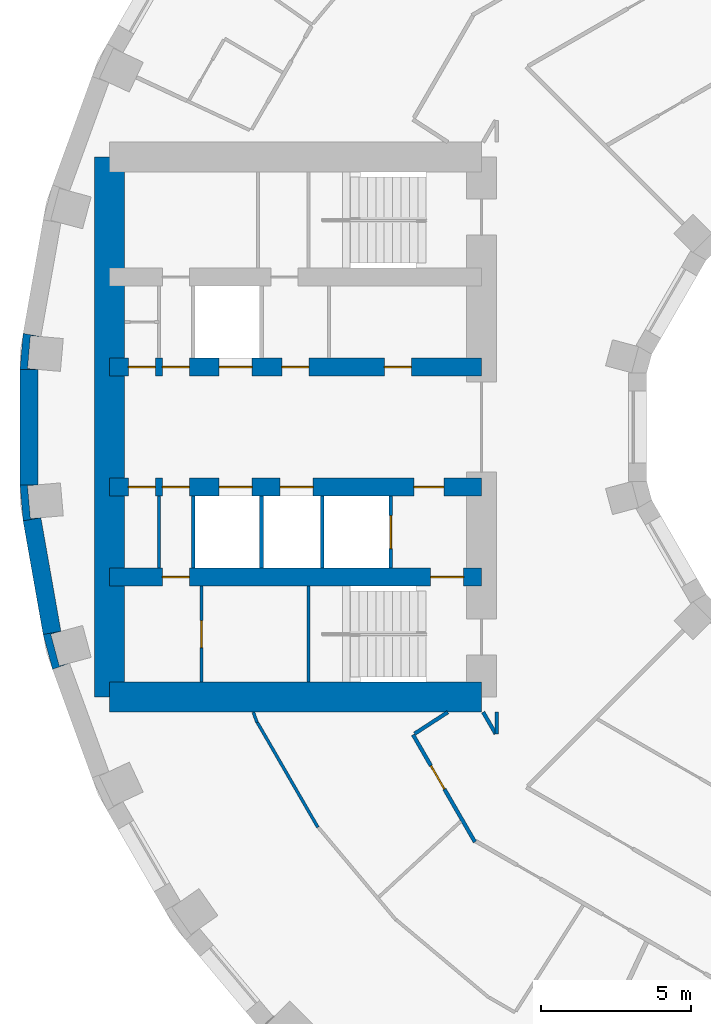
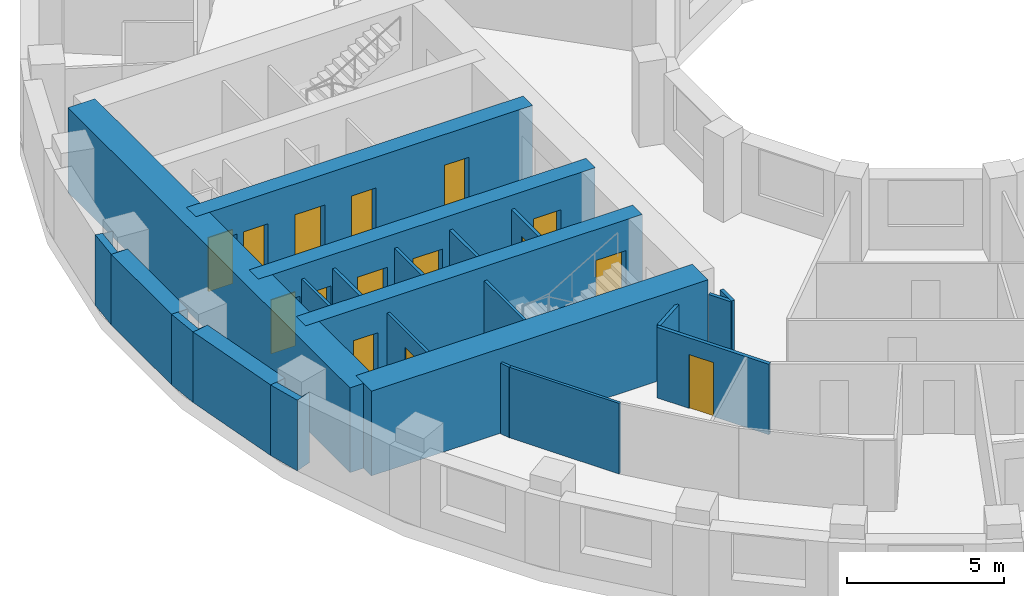
# One storey, part 5 of 15: 23 walls, 15 doors, 15 openings.
"""IFC4 building model written with IfcOpenShell, lengths in metres."""

from ifc_helpers import new_model, si_unit, direction, frame, frame_2d, origin, place, context, subcontext, project, spatial, polyline, rectangle, outline, extrude, material, layer, layer_set, type_object, element, fill, save


model = new_model("IFC4")

# Units and contexts
model_context = context("Model", 3, precision=1e-05, world=origin(), true_north=direction((0.0, 1.0)))
body_context = subcontext(model_context, "Body", "Model", "MODEL_VIEW")
ifc_project = project(units=[si_unit("LENGTHUNIT", "METRE"), si_unit("AREAUNIT", "SQUARE_METRE"), si_unit("VOLUMEUNIT", "CUBIC_METRE"), si_unit("PLANEANGLEUNIT", "RADIAN"), si_unit("MASSUNIT", "GRAM", prefix="KILO")], contexts=[model_context])

# Site, building, storey
site_placement = place(None, origin())
site = spatial("IfcSite", under=ifc_project, at=site_placement, CompositionType="ELEMENT")
building_placement = place(site_placement, origin())
building = spatial("IfcBuilding", under=site, at=building_placement, Name="Saqina Gate Tower", CompositionType="ELEMENT")
storey_placement = place(building_placement, frame((0.0, 0.0, 72.5)))
storey = spatial("IfcBuildingStorey", under=building, at=storey_placement, Name="L20", CompositionType="ELEMENT", Elevation=72.5)

# Walls
ifc_material_1 = material(Name="Brick masonry (red)", Category="masonry")
wall_type_1 = type_object("IfcWallType", Name="BRICK PIER COPING RED", PredefinedType="SOLIDWALL", material=ifc_material_1)
wall_1_placement = place(storey_placement, origin())
element("IfcWall", 1, at=wall_1_placement, inside=storey, type_object=wall_type_1, Name="Pier cap L20 column 18", PredefinedType="SOLIDWALL", context=body_context, shape_type="SweptSolid", body=[
    extrude(outline(polyline([(-28.78466796875, 3.122802734375), (-28.8896484375, 1.9228515625), (-28.28955078125, 1.9228515625), (-28.638671875, 1.95361328125), (-28.54296875, 3.04931640625), (-28.19384765625, 3.018798828125), (-28.78466796875, 3.122802734375)])), origin(), (0.0, 0.0, 1.0), 2.75),
])
wall_2_placement = place(storey_placement, origin())
element("IfcWall", 2, at=wall_2_placement, inside=storey, type_object=wall_type_1, Name="Pier cap L20 column 19", PredefinedType="SOLIDWALL", context=body_context, shape_type="SweptSolid", body=[
    extrude(outline(polyline([(-28.8896484375, -1.9228515625), (-28.78466796875, -3.122802734375), (-28.19384765625, -3.018798828125), (-28.54296875, -3.04931640625), (-28.638671875, -1.95361328125), (-28.28955078125, -1.9228515625), (-28.8896484375, -1.9228515625)])), origin(), (0.0, 0.0, 1.0), 2.75),
])
wall_3_placement = place(storey_placement, origin())
element("IfcWall", 3, at=wall_3_placement, inside=storey, type_object=wall_type_1, Name="Pier cap L20 column 20", PredefinedType="SOLIDWALL", context=body_context, shape_type="SweptSolid", body=[
    extrude(outline(polyline([(-28.11669921875, -6.910400390625), (-27.80517578125, -8.073974609375), (-27.2412109375, -7.86865234375), (-27.57958984375, -7.95947265625), (-27.864501953125, -6.896728515625), (-27.52587890625, -6.80615234375), (-28.11669921875, -6.910400390625)])), origin(), (0.0, 0.0, 1.0), 2.75),
])
ifc_material_2 = material(Name="Gypsum board on steel studs", Category="steel")
ifc_layer_1 = layer(ifc_material_2, 0.10009765625)
ifc_layer_set_1 = layer_set([ifc_layer_1], Name="CORE PARTITION")
wall_type_2 = type_object("IfcWallType", Name="CORE PARTITION", PredefinedType="PARTITIONING", material=ifc_layer_set_1)
wall_4_placement = place(storey_placement, frame((-24.260009765625, -4.699951171875, 0.0), z_axis=(0.0, 0.0, 1.0), x_axis=(0.0, 1.0, 0.0)))
element("IfcWall", 4, at=wall_4_placement, inside=storey, type_object=wall_type_2, Name="L20-CP-W09", PredefinedType="PARTITIONING", context=body_context, shape_type="SweptSolid", body=[
    extrude(rectangle(XDim=2.39990234375, YDim=0.10009765625, at=frame_2d((1.199951171875, 0.0))), origin(), (0.0, 0.0, 1.0), 2.75),
])

# Wall, opening, door
wall_5_placement = place(storey_placement, frame((-22.846435546875, -8.5, 0.0), z_axis=(0.0, 0.0, 1.0), x_axis=(0.0, 1.0, 0.0)))
wall_5 = element("IfcWall", 5, at=wall_5_placement, inside=storey, type_object=wall_type_2, Name="L20-CP-W14", PredefinedType="PARTITIONING", context=body_context, shape_type="SweptSolid", body=[
    extrude(rectangle(XDim=3.199951171875, YDim=0.10009765625, at=frame_2d((1.60009765625, 0.0))), origin(), (0.0, 0.0, 1.0), 2.75),
])
opening_1_placement = place(wall_5_placement, frame((1.14990234375, 0.0, 0.0)))
opening_1 = element("IfcOpeningElement", 6, at=opening_1_placement, cuts=wall_5, Name="Opening G05-D116", PredefinedType="OPENING", context=body_context, shape_type="SweptSolid", body=[
    extrude(rectangle(XDim=0.89990234375, YDim=2.10009765625, at=frame_2d((0.449951171875, 1.050048828125))), frame((0.0, 0.06201171875, 0.0), z_axis=(0.0, -1.0, 0.0), x_axis=(1.0, 0.0, 0.0)), (0.0, 0.0, 1.0), 0.1240234375),
])
ifc_material_3 = material(Name="Steel-framed fire door leaf, EI 60", Category="steel")
door_type_1 = type_object("IfcDoorType", Name="SERVICE ROOM DOOR 900", OperationType="SINGLE_SWING_LEFT", PredefinedType="DOOR", material=ifc_material_3)
door_1_placement = place(opening_1_placement, frame((0.89990234375, 0.0, 0.0), z_axis=(0.0, 0.0, 1.0), x_axis=(-1.0, 0.0, 0.0)))
door_1 = element("IfcDoor", 7, at=door_1_placement, inside=storey, type_object=door_type_1, Name="L20-CD-W27", OperationType="SINGLE_SWING_RIGHT", OverallHeight=2.10009765625, OverallWidth=0.89990234375, PredefinedType="DOOR", context=body_context, shape_type="SweptSolid", body=[
    extrude(rectangle(XDim=0.89990234375, YDim=2.10009765625, at=frame_2d((0.449951171875, 1.050048828125))), frame((0.0, 0.02490234375, 0.0), z_axis=(0.0, -1.0, 0.0), x_axis=(1.0, 0.0, 0.0)), (0.0, 0.0, 1.0), 0.050048828125),
])
fill(opening_1, door_1)

# Walls
ifc_material_4 = material(Name="Glazed ceramic tile", Category="ceramic")
ifc_layer_2 = layer(ifc_material_4, 0.60009765625)
ifc_layer_set_2 = layer_set([ifc_layer_2], Name="FW-TILE")
wall_type_3 = type_object("IfcWallType", Name="FW-TILE", PredefinedType="SOLIDWALL", material=ifc_layer_set_2)
wall_6_placement = place(storey_placement, frame((-28.4892578125, -3.07080078125, 0.0), z_axis=(0.0, 0.0, 1.0), x_axis=(0.173687553279, -0.984800809218, 0.0)))
element("IfcWall", 8, at=wall_6_placement, inside=storey, type_object=wall_type_3, Name="Facade wall L20 facet 19", PredefinedType="SOLIDWALL", context=body_context, shape_type="SweptSolid", body=[
    extrude(rectangle(XDim=3.845703125, YDim=0.60009765625, at=frame_2d((1.9228515625, 0.0))), origin(), (0.0, 0.0, 1.0), 2.75),
])
ifc_material_5 = material(Name="Glazed ceramic tile (dark blue)", Category="ceramic")
ifc_layer_3 = layer(ifc_material_5, 0.60009765625)
ifc_layer_set_3 = layer_set([ifc_layer_3], Name="FW-TILE-CB")
wall_type_4 = type_object("IfcWallType", Name="FW-TILE-CB", PredefinedType="SOLIDWALL", material=ifc_layer_set_3)
wall_7_placement = place(storey_placement, frame((-28.589599609375, 1.9228515625, 0.0), z_axis=(0.0, 0.0, 1.0), x_axis=(0.0, -1.0, 0.0)))
element("IfcWall", 9, at=wall_7_placement, inside=storey, type_object=wall_type_4, Name="Facade wall L20 facet 18", PredefinedType="SOLIDWALL", context=body_context, shape_type="SweptSolid", body=[
    extrude(rectangle(XDim=3.845703125, YDim=0.60009765625, at=frame_2d((1.9228515625, 0.0))), origin(), (0.0, 0.0, 1.0), 2.75),
])
ifc_material_6 = material(Name="Gypsum board on steel studs, 100 mm", Category="steel")
ifc_layer_4 = layer(ifc_material_6, 0.10009765625)
ifc_layer_set_4 = layer_set([ifc_layer_4], Name="PARTITION 100")
wall_type_5 = type_object("IfcWallType", Name="PARTITION 100", PredefinedType="PARTITIONING", material=ifc_layer_set_4)
wall_8_placement = place(storey_placement, frame((-21.114013671875, -9.5, 0.0), z_axis=(0.0, 0.0, 1.0), x_axis=(0.34403955715, -0.938955155008, 0.0)))
element("IfcWall", 10, at=wall_8_placement, inside=storey, type_object=wall_type_5, Name="PARTITION PW3-17", PredefinedType="PARTITIONING", context=body_context, shape_type="SweptSolid", body=[
    extrude(rectangle(XDim=0.366943359375, YDim=0.10009765625, at=frame_2d((0.18359375, 0.0))), origin(), (0.0, 0.0, 1.0), 2.75),
])
wall_9_placement = place(storey_placement, frame((-20.980224609375, -9.840087890625, 0.0), z_axis=(0.0, 0.0, 1.0), x_axis=(0.500013722509, -0.866017480945, 0.0)))
element("IfcWall", 11, at=wall_9_placement, inside=storey, type_object=wall_type_5, Name="PARTITION PW3-22", PredefinedType="PARTITIONING", context=body_context, shape_type="SweptSolid", body=[
    extrude(rectangle(XDim=4.0390625, YDim=0.10009765625, at=frame_2d((2.01953125, 0.0))), origin(), (0.0, 0.0, 1.0), 2.75),
])

# Wall, opening, door
ifc_material_7 = material(Name="Gypsum board on steel studs, 125 mm, fire rated", Category="steel")
ifc_layer_5 = layer(ifc_material_7, 0.125)
ifc_layer_set_5 = layer_set([ifc_layer_5], Name="PARTITION EI 30 125")
wall_type_6 = type_object("IfcWallType", Name="PARTITION EI 30 125", PredefinedType="PARTITIONING", material=ifc_layer_set_5)
wall_10_placement = place(storey_placement, frame((-15.7890625, -10.2529296875, 0.0), z_axis=(0.0, 0.0, 1.0), x_axis=(0.49993934159, -0.866060422101, 0.0)))
wall_10 = element("IfcWall", 12, at=wall_10_placement, inside=storey, type_object=wall_type_6, Name="PARTITION PW1-01", PredefinedType="PARTITIONING", context=body_context, shape_type="SweptSolid", body=[
    extrude(rectangle(XDim=4.125, YDim=0.125, at=frame_2d((2.0625, 0.0))), origin(), (0.0, 0.0, 1.0), 2.75),
])
opening_2_placement = place(wall_10_placement, frame((1.189453125, 0.0, 0.0)))
opening_2 = element("IfcOpeningElement", 13, at=opening_2_placement, cuts=wall_10, Name="Opening G05-D36", PredefinedType="OPENING", context=body_context, shape_type="SweptSolid", body=[
    extrude(rectangle(XDim=0.89990234375, YDim=2.10009765625, at=frame_2d((0.449951171875, 1.050048828125))), frame((0.0, 0.074462890625, 0.0), z_axis=(0.0, -1.0, 0.0), x_axis=(1.0, 0.0, 0.0)), (0.0, 0.0, 1.0), 0.14892578125),
])
ifc_material_8 = material(Name="Fire door leaf EI 30, 900 mm")
door_type_2 = type_object("IfcDoorType", Name="DOOR 900 EI 30", OperationType="SINGLE_SWING_LEFT", PredefinedType="DOOR", material=ifc_material_8)
door_2_placement = place(opening_2_placement, frame((0.89990234375, 0.0, 0.0), z_axis=(0.0, 0.0, 1.0), x_axis=(-1.0, 0.0, 0.0)))
door_2 = element("IfcDoor", 14, at=door_2_placement, inside=storey, type_object=door_type_2, Name="DOOR G05-D36", OperationType="SINGLE_SWING_RIGHT", OverallHeight=2.10009765625, OverallWidth=0.89990234375, PredefinedType="DOOR", context=body_context, shape_type="SweptSolid", body=[
    extrude(rectangle(XDim=0.89990234375, YDim=2.10009765625, at=frame_2d((0.449951171875, 1.050048828125))), frame((0.0, 0.02490234375, 0.0), z_axis=(0.0, -1.0, 0.0), x_axis=(1.0, 0.0, 0.0)), (0.0, 0.0, 1.0), 0.050048828125),
])
fill(opening_2, door_2)

# Walls
wall_11_placement = place(storey_placement, frame((-13.451904296875, -9.5, 0.0), z_axis=(0.0, 0.0, 1.0), x_axis=(0.49991670217, -0.866073490468, 0.0)))
element("IfcWall", 15, at=wall_11_placement, inside=storey, type_object=wall_type_6, Name="PARTITION PW1-02", PredefinedType="PARTITIONING", context=body_context, shape_type="SweptSolid", body=[
    extrude(rectangle(XDim=0.834228515625, YDim=0.125, at=frame_2d((0.4169921875, 0.0))), origin(), (0.0, 0.0, 1.0), 2.75),
])
wall_12_placement = place(storey_placement, frame((-15.736572265625, -10.218994140625, 0.0), z_axis=(0.0, 0.0, 1.0), x_axis=(0.838785586694, 0.544461880717, 0.0)))
element("IfcWall", 16, at=wall_12_placement, inside=storey, type_object=wall_type_6, Name="PARTITION PW1-38", PredefinedType="PARTITIONING", context=body_context, shape_type="SweptSolid", body=[
    extrude(rectangle(XDim=1.320556640625, YDim=0.125, at=frame_2d((0.66015625, 0.0))), origin(), (0.0, 0.0, 1.0), 2.75),
])
wall_13_placement = place(storey_placement, frame((-13.0, -10.220458984375, 0.0), z_axis=(0.0, 0.0, 1.0), x_axis=(0.0, 1.0, 0.0)))
element("IfcWall", 17, at=wall_13_placement, inside=storey, type_object=wall_type_6, Name="PARTITION PW1-55", PredefinedType="PARTITIONING", context=body_context, shape_type="SweptSolid", body=[
    extrude(rectangle(XDim=0.720458984375, YDim=0.125, at=frame_2d((0.3603515625, 0.0))), origin(), (0.0, 0.0, 1.0), 2.75),
])

# Wall, opening, door
ifc_material_9 = material(Name="Autoclaved aerated concrete block", Category="concrete")
ifc_layer_6 = layer(ifc_material_9, 0.1201171875)
ifc_layer_set_6 = layer_set([ifc_layer_6], Name="SHAFT PARTITION")
wall_type_7 = type_object("IfcWallType", Name="SHAFT PARTITION", PredefinedType="PARTITIONING", material=ifc_layer_set_6)
wall_14_placement = place(storey_placement, frame((-16.530029296875, -4.699951171875, 0.0), z_axis=(0.0, 0.0, 1.0), x_axis=(0.0, 1.0, 0.0)))
wall_14 = element("IfcWall", 18, at=wall_14_placement, inside=storey, type_object=wall_type_7, Name="L20-CP-W05", PredefinedType="PARTITIONING", context=body_context, shape_type="SweptSolid", body=[
    extrude(rectangle(XDim=2.39990234375, YDim=0.1201171875, at=frame_2d((1.199951171875, 0.0))), origin(), (0.0, 0.0, 1.0), 2.75),
])
opening_3_placement = place(wall_14_placement, frame((0.64990234375, 0.0, 0.0)))
opening_3 = element("IfcOpeningElement", 19, at=opening_3_placement, cuts=wall_14, Name="Opening G05-LD6", PredefinedType="OPENING", context=body_context, shape_type="SweptSolid", body=[
    extrude(rectangle(XDim=1.10009765625, YDim=2.10009765625, at=frame_2d((0.550048828125, 1.050048828125))), frame((0.0, 0.072021484375, 0.0), z_axis=(0.0, -1.0, 0.0), x_axis=(1.0, 0.0, 0.0)), (0.0, 0.0, 1.0), 0.14404296875),
])
ifc_material_10 = material(Name="Stainless steel", Category="steel")
door_type_3 = type_object("IfcDoorType", Name="LANDING DOOR", OperationType="DOUBLE_DOOR_SLIDING", PredefinedType="DOOR", material=ifc_material_10)
door_3_placement = place(opening_3_placement, origin())
door_3 = element("IfcDoor", 20, at=door_3_placement, inside=storey, type_object=door_type_3, Name="LANDING DOOR FF2", OperationType="DOUBLE_DOOR_SLIDING", OverallHeight=2.10009765625, OverallWidth=1.10009765625, PredefinedType="DOOR", context=body_context, shape_type="SweptSolid", body=[
    extrude(rectangle(XDim=1.10009765625, YDim=2.10009765625, at=frame_2d((0.550048828125, 1.050048828125))), frame((0.0, 0.02490234375, 0.0), z_axis=(0.0, -1.0, 0.0), x_axis=(1.0, 0.0, 0.0)), (0.0, 0.0, 1.0), 0.050048828125),
])
fill(opening_3, door_3)

# Walls
for number, where, z_axis, x_axis, name in (
    (21, (-18.81005859375, -4.699951171875, 0.0), (0.0, 0.0, 1.0), (0.0, 1.0, 0.0), "L20-CP-W06"),
    (22, (-20.840087890625, -4.699951171875, 0.0), (0.0, 0.0, 1.0), (0.0, 1.0, 0.0), "L20-CP-W07"),
    (23, (-23.1201171875, -4.699951171875, 0.0), (0.0, 0.0, 1.0), (0.0, 1.0, 0.0), "L20-CP-W08"),
):
    element("IfcWall", number, at=place(storey_placement, frame(where, z_axis=z_axis, x_axis=x_axis)), inside=storey, type_object=wall_type_7, Name=name, PredefinedType="PARTITIONING", context=body_context, shape_type="SweptSolid", body=[
        extrude(rectangle(XDim=2.39990234375, YDim=0.1201171875, at=frame_2d((1.199951171875, 0.0))), origin(), (0.0, 0.0, 1.0), 2.75),
    ])
ifc_material_11 = material(Name="Autoclaved aerated concrete block", Category="concrete")
ifc_layer_7 = layer(ifc_material_11, 0.10009765625)
ifc_layer_set_7 = layer_set([ifc_layer_7], Name="STAIR ENCLOSURE WALL")
wall_type_8 = type_object("IfcWallType", Name="STAIR ENCLOSURE WALL", PredefinedType="PARTITIONING", material=ifc_layer_set_7)
wall_15_placement = place(storey_placement, frame((-19.27001953125, -8.5, 0.0), z_axis=(0.0, 0.0, 1.0), x_axis=(0.0, 1.0, 0.0)))
element("IfcWall", 24, at=wall_15_placement, inside=storey, type_object=wall_type_8, Name="L20-CP-W13", PredefinedType="PARTITIONING", context=body_context, shape_type="SweptSolid", body=[
    extrude(rectangle(XDim=3.199951171875, YDim=0.10009765625, at=frame_2d((1.60009765625, 0.0))), origin(), (0.0, 0.0, 1.0), 2.75),
])

# Wall, openings, doors
ifc_material_12 = material(Name="Concrete C70/85", Category="concrete")
ifc_layer_8 = layer(ifc_material_12, 0.60009765625)
ifc_layer_set_8 = layer_set([ifc_layer_8], Name="Concrete C70/85")
wall_type_9 = type_object("IfcWallType", Name="STR-CORE WALL-A-I", PredefinedType="SHEAR", material=ifc_layer_set_8)
wall_16_placement = place(storey_placement, frame((-13.5, -5.0, 0.0), z_axis=(0.0, 0.0, 1.0), x_axis=(-1.0, 0.0, 0.0)))
wall_16 = element("IfcWall", 25, at=wall_16_placement, inside=storey, type_object=wall_type_9, Name="CORE WALL L20 W-X2", PredefinedType="SHEAR", context=body_context, shape_type="SweptSolid", body=[
    extrude(rectangle(XDim=12.39990234375, YDim=0.60009765625, at=frame_2d((6.199951171875, 0.0))), origin(), (0.0, 0.0, 1.0), 3.300048828125),
])
opening_4_placement = place(wall_16_placement, frame((9.739990234375, 0.0, 0.0)))
opening_4 = element("IfcOpeningElement", 26, at=opening_4_placement, cuts=wall_16, Name="Opening G05-D117", PredefinedType="OPENING", context=body_context, shape_type="SweptSolid", body=[
    extrude(rectangle(XDim=0.89990234375, YDim=2.10009765625, at=frame_2d((0.449951171875, 1.050048828125))), frame((0.0, 0.31201171875, 0.0), z_axis=(0.0, -1.0, 0.0), x_axis=(1.0, 0.0, 0.0)), (0.0, 0.0, 1.0), 0.6240234375),
])
opening_5_placement = place(wall_16_placement, frame((0.60009765625, 0.0, 0.0)))
opening_5 = element("IfcOpeningElement", 27, at=opening_5_placement, cuts=wall_16, Name="Opening G05-D118", PredefinedType="OPENING", context=body_context, shape_type="SweptSolid", body=[
    extrude(rectangle(XDim=1.10009765625, YDim=2.10009765625, at=frame_2d((0.550048828125, 1.050048828125))), frame((0.0, 0.31201171875, 0.0), z_axis=(0.0, -1.0, 0.0), x_axis=(1.0, 0.0, 0.0)), (0.0, 0.0, 1.0), 0.6240234375),
])
ifc_material_13 = material(Name="Steel", Category="steel")
door_type_4 = type_object("IfcDoorType", Name="FIRE LOBBY DOOR EI 60 WIDE", OperationType="SINGLE_SWING_LEFT", PredefinedType="DOOR", material=ifc_material_13)
door_4_placement = place(opening_5_placement, origin())
door_4 = element("IfcDoor", 28, at=door_4_placement, inside=storey, type_object=door_type_4, Name="L20-CD-W29", OperationType="SINGLE_SWING_LEFT", OverallHeight=2.10009765625, OverallWidth=1.10009765625, PredefinedType="DOOR", context=body_context, shape_type="SweptSolid", body=[
    extrude(rectangle(XDim=1.10009765625, YDim=2.10009765625, at=frame_2d((0.550048828125, 1.050048828125))), frame((0.0, 0.02490234375, 0.0), z_axis=(0.0, -1.0, 0.0), x_axis=(1.0, 0.0, 0.0)), (0.0, 0.0, 1.0), 0.050048828125),
])
fill(opening_5, door_4)
door_5_placement = place(opening_4_placement, origin())
door_5 = element("IfcDoor", 29, at=door_5_placement, inside=storey, type_object=door_type_1, Name="L20-CD-W28", OperationType="SINGLE_SWING_LEFT", OverallHeight=2.10009765625, OverallWidth=0.89990234375, PredefinedType="DOOR", context=body_context, shape_type="SweptSolid", body=[
    extrude(rectangle(XDim=0.89990234375, YDim=2.10009765625, at=frame_2d((0.449951171875, 1.050048828125))), frame((0.0, 0.02490234375, 0.0), z_axis=(0.0, -1.0, 0.0), x_axis=(1.0, 0.0, 0.0)), (0.0, 0.0, 1.0), 0.050048828125),
])
fill(opening_4, door_5)

wall_17_placement = place(storey_placement, frame((-13.5, 2.0, 0.0), z_axis=(0.0, 0.0, 1.0), x_axis=(-1.0, 0.0, 0.0)))
wall_17 = element("IfcWall", 30, at=wall_17_placement, inside=storey, type_object=wall_type_9, Name="CORE WALL L20 W-L1", PredefinedType="SHEAR", context=body_context, shape_type="SweptSolid", body=[
    extrude(rectangle(XDim=12.39990234375, YDim=0.60009765625, at=frame_2d((6.199951171875, 0.0))), origin(), (0.0, 0.0, 1.0), 3.300048828125),
])
opening_6_placement = place(wall_17_placement, frame((7.64990234375, 0.0, 0.0)))
opening_6 = element("IfcOpeningElement", 31, at=opening_6_placement, cuts=wall_17, Name="Opening G05-LD5", PredefinedType="OPENING", context=body_context, shape_type="SweptSolid", body=[
    extrude(rectangle(XDim=1.10009765625, YDim=2.10009765625, at=frame_2d((0.550048828125, 1.050048828125))), frame((0.0, 0.31201171875, 0.0), z_axis=(0.0, -1.0, 0.0), x_axis=(1.0, 0.0, 0.0)), (0.0, 0.0, 1.0), 0.6240234375),
])
opening_7_placement = place(wall_17_placement, frame((2.34130859375, 0.0, 0.0)))
opening_7 = element("IfcOpeningElement", 32, at=opening_7_placement, cuts=wall_17, Name="Opening G05-D106", PredefinedType="OPENING", context=body_context, shape_type="SweptSolid", body=[
    extrude(rectangle(XDim=0.89990234375, YDim=2.10009765625, at=frame_2d((0.449951171875, 1.050048828125))), frame((0.0, 0.31201171875, 0.0), z_axis=(0.0, -1.0, 0.0), x_axis=(1.0, 0.0, 0.0)), (0.0, 0.0, 1.0), 0.6240234375),
])
opening_8_placement = place(wall_17_placement, frame((5.761474609375, 0.0, 0.0)))
opening_8 = element("IfcOpeningElement", 33, at=opening_8_placement, cuts=wall_17, Name="Opening G05-D107", PredefinedType="OPENING", context=body_context, shape_type="SweptSolid", body=[
    extrude(rectangle(XDim=0.89990234375, YDim=2.10009765625, at=frame_2d((0.449951171875, 1.050048828125))), frame((0.0, 0.31201171875, 0.0), z_axis=(0.0, -1.0, 0.0), x_axis=(1.0, 0.0, 0.0)), (0.0, 0.0, 1.0), 0.6240234375),
])
opening_9_placement = place(wall_17_placement, frame((9.739990234375, 0.0, 0.0)))
opening_9 = element("IfcOpeningElement", 34, at=opening_9_placement, cuts=wall_17, Name="Opening G05-D108", PredefinedType="OPENING", context=body_context, shape_type="SweptSolid", body=[
    extrude(rectangle(XDim=0.89990234375, YDim=2.10009765625, at=frame_2d((0.449951171875, 1.050048828125))), frame((0.0, 0.31201171875, 0.0), z_axis=(0.0, -1.0, 0.0), x_axis=(1.0, 0.0, 0.0)), (0.0, 0.0, 1.0), 0.6240234375),
])
opening_10_placement = place(wall_17_placement, frame((10.8798828125, 0.0, 0.0)))
opening_10 = element("IfcOpeningElement", 35, at=opening_10_placement, cuts=wall_17, Name="Opening G05-D109", PredefinedType="OPENING", context=body_context, shape_type="SweptSolid", body=[
    extrude(rectangle(XDim=0.89990234375, YDim=2.10009765625, at=frame_2d((0.449951171875, 1.050048828125))), frame((0.0, 0.31201171875, 0.0), z_axis=(0.0, -1.0, 0.0), x_axis=(1.0, 0.0, 0.0)), (0.0, 0.0, 1.0), 0.6240234375),
])
door_6_placement = place(opening_6_placement, origin())
door_6 = element("IfcDoor", 36, at=door_6_placement, inside=storey, type_object=door_type_3, Name="LANDING DOOR LR4", OperationType="DOUBLE_DOOR_SLIDING", OverallHeight=2.10009765625, OverallWidth=1.10009765625, PredefinedType="DOOR", context=body_context, shape_type="SweptSolid", body=[
    extrude(rectangle(XDim=1.10009765625, YDim=2.10009765625, at=frame_2d((0.550048828125, 1.050048828125))), frame((0.0, 0.02490234375, 0.0), z_axis=(0.0, -1.0, 0.0), x_axis=(1.0, 0.0, 0.0)), (0.0, 0.0, 1.0), 0.050048828125),
])
fill(opening_6, door_6)
door_7_placement = place(opening_7_placement, frame((0.89990234375, 0.0, 0.0), z_axis=(0.0, 0.0, 1.0), x_axis=(-1.0, 0.0, 0.0)))
door_7 = element("IfcDoor", 37, at=door_7_placement, inside=storey, type_object=door_type_1, Name="L20-CD-W17", OperationType="SINGLE_SWING_RIGHT", OverallHeight=2.10009765625, OverallWidth=0.89990234375, PredefinedType="DOOR", context=body_context, shape_type="SweptSolid", body=[
    extrude(rectangle(XDim=0.89990234375, YDim=2.10009765625, at=frame_2d((0.449951171875, 1.050048828125))), frame((0.0, 0.02490234375, 0.0), z_axis=(0.0, -1.0, 0.0), x_axis=(1.0, 0.0, 0.0)), (0.0, 0.0, 1.0), 0.050048828125),
])
fill(opening_7, door_7)
door_8_placement = place(opening_8_placement, frame((0.89990234375, 0.0, 0.0), z_axis=(0.0, 0.0, 1.0), x_axis=(-1.0, 0.0, 0.0)))
door_8 = element("IfcDoor", 38, at=door_8_placement, inside=storey, type_object=door_type_1, Name="L20-CD-W18", OperationType="SINGLE_SWING_LEFT", OverallHeight=2.10009765625, OverallWidth=0.89990234375, PredefinedType="DOOR", context=body_context, shape_type="SweptSolid", body=[
    extrude(rectangle(XDim=0.89990234375, YDim=2.10009765625, at=frame_2d((0.449951171875, 1.050048828125))), frame((0.0, 0.02490234375, 0.0), z_axis=(0.0, -1.0, 0.0), x_axis=(1.0, 0.0, 0.0)), (0.0, 0.0, 1.0), 0.050048828125),
])
fill(opening_8, door_8)
door_9_placement = place(opening_9_placement, frame((0.89990234375, 0.0, 0.0), z_axis=(0.0, 0.0, 1.0), x_axis=(-1.0, 0.0, 0.0)))
door_9 = element("IfcDoor", 39, at=door_9_placement, inside=storey, type_object=door_type_1, Name="L20-CD-W19", OperationType="SINGLE_SWING_RIGHT", OverallHeight=2.10009765625, OverallWidth=0.89990234375, PredefinedType="DOOR", context=body_context, shape_type="SweptSolid", body=[
    extrude(rectangle(XDim=0.89990234375, YDim=2.10009765625, at=frame_2d((0.449951171875, 1.050048828125))), frame((0.0, 0.02490234375, 0.0), z_axis=(0.0, -1.0, 0.0), x_axis=(1.0, 0.0, 0.0)), (0.0, 0.0, 1.0), 0.050048828125),
])
fill(opening_9, door_9)
door_10_placement = place(opening_10_placement, frame((0.89990234375, 0.0, 0.0), z_axis=(0.0, 0.0, 1.0), x_axis=(-1.0, 0.0, 0.0)))
door_10 = element("IfcDoor", 40, at=door_10_placement, inside=storey, type_object=door_type_1, Name="L20-CD-W20", OperationType="SINGLE_SWING_LEFT", OverallHeight=2.10009765625, OverallWidth=0.89990234375, PredefinedType="DOOR", context=body_context, shape_type="SweptSolid", body=[
    extrude(rectangle(XDim=0.89990234375, YDim=2.10009765625, at=frame_2d((0.449951171875, 1.050048828125))), frame((0.0, 0.02490234375, 0.0), z_axis=(0.0, -1.0, 0.0), x_axis=(1.0, 0.0, 0.0)), (0.0, 0.0, 1.0), 0.050048828125),
])
fill(opening_10, door_10)

wall_18_placement = place(storey_placement, frame((-13.5, -2.0, 0.0), z_axis=(0.0, 0.0, 1.0), x_axis=(-1.0, 0.0, 0.0)))
wall_18 = element("IfcWall", 41, at=wall_18_placement, inside=storey, type_object=wall_type_9, Name="CORE WALL L20 W-L2", PredefinedType="SHEAR", context=body_context, shape_type="SweptSolid", body=[
    extrude(rectangle(XDim=12.39990234375, YDim=0.60009765625, at=frame_2d((6.199951171875, 0.0))), origin(), (0.0, 0.0, 1.0), 3.300048828125),
])
opening_11_placement = place(wall_18_placement, frame((5.6201171875, 0.0, 0.0)))
opening_11 = element("IfcOpeningElement", 42, at=opening_11_placement, cuts=wall_18, Name="Opening G05-LD7", PredefinedType="OPENING", context=body_context, shape_type="SweptSolid", body=[
    extrude(rectangle(XDim=1.10009765625, YDim=2.10009765625, at=frame_2d((0.550048828125, 1.050048828125))), frame((0.0, 0.31201171875, 0.0), z_axis=(0.0, -1.0, 0.0), x_axis=(1.0, 0.0, 0.0)), (0.0, 0.0, 1.0), 0.6240234375),
])
opening_12_placement = place(wall_18_placement, frame((7.64990234375, 0.0, 0.0)))
opening_12 = element("IfcOpeningElement", 43, at=opening_12_placement, cuts=wall_18, Name="Opening G05-LD8", PredefinedType="OPENING", context=body_context, shape_type="SweptSolid", body=[
    extrude(rectangle(XDim=1.10009765625, YDim=2.10009765625, at=frame_2d((0.550048828125, 1.050048828125))), frame((0.0, 0.31201171875, 0.0), z_axis=(0.0, -1.0, 0.0), x_axis=(1.0, 0.0, 0.0)), (0.0, 0.0, 1.0), 0.6240234375),
])
opening_13_placement = place(wall_18_placement, frame((1.264892578125, 0.0, 0.0)))
opening_13 = element("IfcOpeningElement", 44, at=opening_13_placement, cuts=wall_18, Name="Opening G05-D110", PredefinedType="OPENING", context=body_context, shape_type="SweptSolid", body=[
    extrude(rectangle(XDim=1.0, YDim=2.10009765625, at=frame_2d((0.5, 1.050048828125))), frame((0.0, 0.31201171875, 0.0), z_axis=(0.0, -1.0, 0.0), x_axis=(1.0, 0.0, 0.0)), (0.0, 0.0, 1.0), 0.6240234375),
])
opening_14_placement = place(wall_18_placement, frame((9.739990234375, 0.0, 0.0)))
opening_14 = element("IfcOpeningElement", 45, at=opening_14_placement, cuts=wall_18, Name="Opening G05-D111", PredefinedType="OPENING", context=body_context, shape_type="SweptSolid", body=[
    extrude(rectangle(XDim=0.89990234375, YDim=2.10009765625, at=frame_2d((0.449951171875, 1.050048828125))), frame((0.0, 0.31201171875, 0.0), z_axis=(0.0, -1.0, 0.0), x_axis=(1.0, 0.0, 0.0)), (0.0, 0.0, 1.0), 0.6240234375),
])
opening_15_placement = place(wall_18_placement, frame((10.8798828125, 0.0, 0.0)))
opening_15 = element("IfcOpeningElement", 46, at=opening_15_placement, cuts=wall_18, Name="Opening G05-D112", PredefinedType="OPENING", context=body_context, shape_type="SweptSolid", body=[
    extrude(rectangle(XDim=0.89990234375, YDim=2.10009765625, at=frame_2d((0.449951171875, 1.050048828125))), frame((0.0, 0.31201171875, 0.0), z_axis=(0.0, -1.0, 0.0), x_axis=(1.0, 0.0, 0.0)), (0.0, 0.0, 1.0), 0.6240234375),
])
ifc_material_14 = material(Name="Steel", Category="steel")
door_type_5 = type_object("IfcDoorType", Name="FIRE LOBBY DOOR EI 60", OperationType="SINGLE_SWING_LEFT", PredefinedType="DOOR", material=ifc_material_14)
door_11_placement = place(opening_13_placement, frame((1.0, 0.0, 0.0), z_axis=(0.0, 0.0, 1.0), x_axis=(-1.0, 0.0, 0.0)))
door_11 = element("IfcDoor", 47, at=door_11_placement, inside=storey, type_object=door_type_5, Name="L20-CD-W21", OperationType="SINGLE_SWING_RIGHT", OverallHeight=2.10009765625, OverallWidth=1.0, PredefinedType="DOOR", context=body_context, shape_type="SweptSolid", body=[
    extrude(rectangle(XDim=1.0, YDim=2.10009765625, at=frame_2d((0.5, 1.050048828125))), frame((0.0, 0.02490234375, 0.0), z_axis=(0.0, -1.0, 0.0), x_axis=(1.0, 0.0, 0.0)), (0.0, 0.0, 1.0), 0.050048828125),
])
fill(opening_13, door_11)
door_12_placement = place(opening_11_placement, origin())
door_12 = element("IfcDoor", 48, at=door_12_placement, inside=storey, type_object=door_type_3, Name="LANDING DOOR LR6", OperationType="DOUBLE_DOOR_SLIDING", OverallHeight=2.10009765625, OverallWidth=1.10009765625, PredefinedType="DOOR", context=body_context, shape_type="SweptSolid", body=[
    extrude(rectangle(XDim=1.10009765625, YDim=2.10009765625, at=frame_2d((0.550048828125, 1.050048828125))), frame((0.0, 0.02490234375, 0.0), z_axis=(0.0, -1.0, 0.0), x_axis=(1.0, 0.0, 0.0)), (0.0, 0.0, 1.0), 0.050048828125),
])
fill(opening_11, door_12)
door_13_placement = place(opening_12_placement, origin())
door_13 = element("IfcDoor", 49, at=door_13_placement, inside=storey, type_object=door_type_3, Name="LANDING DOOR LR5", OperationType="DOUBLE_DOOR_SLIDING", OverallHeight=2.10009765625, OverallWidth=1.10009765625, PredefinedType="DOOR", context=body_context, shape_type="SweptSolid", body=[
    extrude(rectangle(XDim=1.10009765625, YDim=2.10009765625, at=frame_2d((0.550048828125, 1.050048828125))), frame((0.0, 0.02490234375, 0.0), z_axis=(0.0, -1.0, 0.0), x_axis=(1.0, 0.0, 0.0)), (0.0, 0.0, 1.0), 0.050048828125),
])
fill(opening_12, door_13)
door_14_placement = place(opening_14_placement, origin())
door_14 = element("IfcDoor", 50, at=door_14_placement, inside=storey, type_object=door_type_1, Name="L20-CD-W22", OperationType="SINGLE_SWING_LEFT", OverallHeight=2.10009765625, OverallWidth=0.89990234375, PredefinedType="DOOR", context=body_context, shape_type="SweptSolid", body=[
    extrude(rectangle(XDim=0.89990234375, YDim=2.10009765625, at=frame_2d((0.449951171875, 1.050048828125))), frame((0.0, 0.02490234375, 0.0), z_axis=(0.0, -1.0, 0.0), x_axis=(1.0, 0.0, 0.0)), (0.0, 0.0, 1.0), 0.050048828125),
])
fill(opening_14, door_14)
door_15_placement = place(opening_15_placement, origin())
door_15 = element("IfcDoor", 51, at=door_15_placement, inside=storey, type_object=door_type_1, Name="L20-CD-W23", OperationType="SINGLE_SWING_RIGHT", OverallHeight=2.10009765625, OverallWidth=0.89990234375, PredefinedType="DOOR", context=body_context, shape_type="SweptSolid", body=[
    extrude(rectangle(XDim=0.89990234375, YDim=2.10009765625, at=frame_2d((0.449951171875, 1.050048828125))), frame((0.0, 0.02490234375, 0.0), z_axis=(0.0, -1.0, 0.0), x_axis=(1.0, 0.0, 0.0)), (0.0, 0.0, 1.0), 0.050048828125),
])
fill(opening_15, door_15)

# Walls
ifc_material_15 = material(Name="Concrete C70/85", Category="concrete")
ifc_layer_9 = layer(ifc_material_15, 1.0)
ifc_layer_set_9 = layer_set([ifc_layer_9], Name="Concrete C70/85")
wall_type_10 = type_object("IfcWallType", Name="STR-CORE WALL-A-O", PredefinedType="SHEAR", material=ifc_layer_set_9)
wall_19_placement = place(storey_placement, frame((-25.89990234375, -9.0, 0.0), z_axis=(0.0, 0.0, 1.0), x_axis=(0.0, 1.0, 0.0)))
element("IfcWall", 52, at=wall_19_placement, inside=storey, type_object=wall_type_10, Name="CORE WALL L20 W-W2", PredefinedType="SHEAR", context=body_context, shape_type="SweptSolid", body=[
    extrude(rectangle(XDim=18.0, YDim=1.0, at=frame_2d((9.0, 0.0))), origin(), (0.0, 0.0, 1.0), 3.300048828125),
])
wall_20_placement = place(storey_placement, frame((-13.5, -9.0, 0.0), z_axis=(0.0, 0.0, 1.0), x_axis=(-1.0, 0.0, 0.0)))
element("IfcWall", 53, at=wall_20_placement, inside=storey, type_object=wall_type_10, Name="CORE WALL L20 W-SE", PredefinedType="SHEAR", context=body_context, shape_type="SweptSolid", body=[
    extrude(rectangle(XDim=12.39990234375, YDim=1.0, at=frame_2d((6.199951171875, 0.0))), origin(), (0.0, 0.0, 1.0), 3.300048828125),
])

save(model, "model.ifc")
